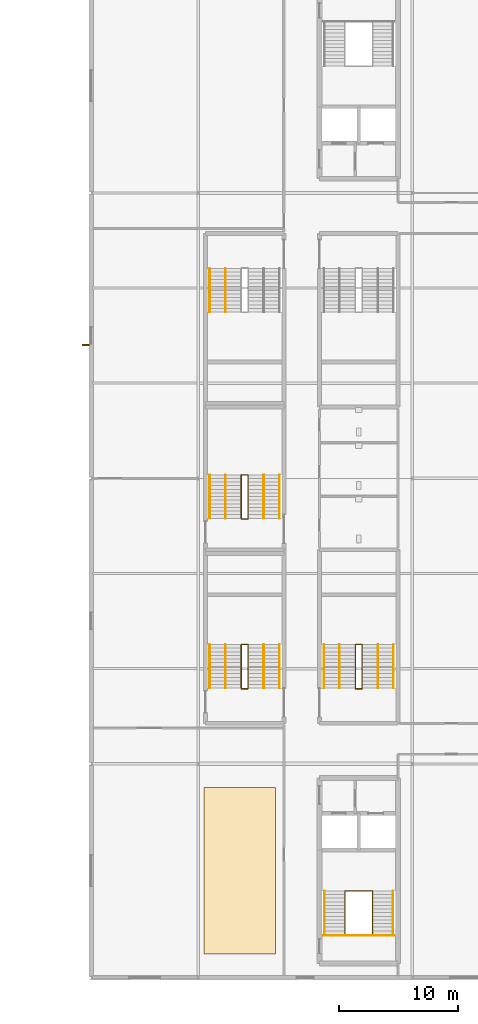
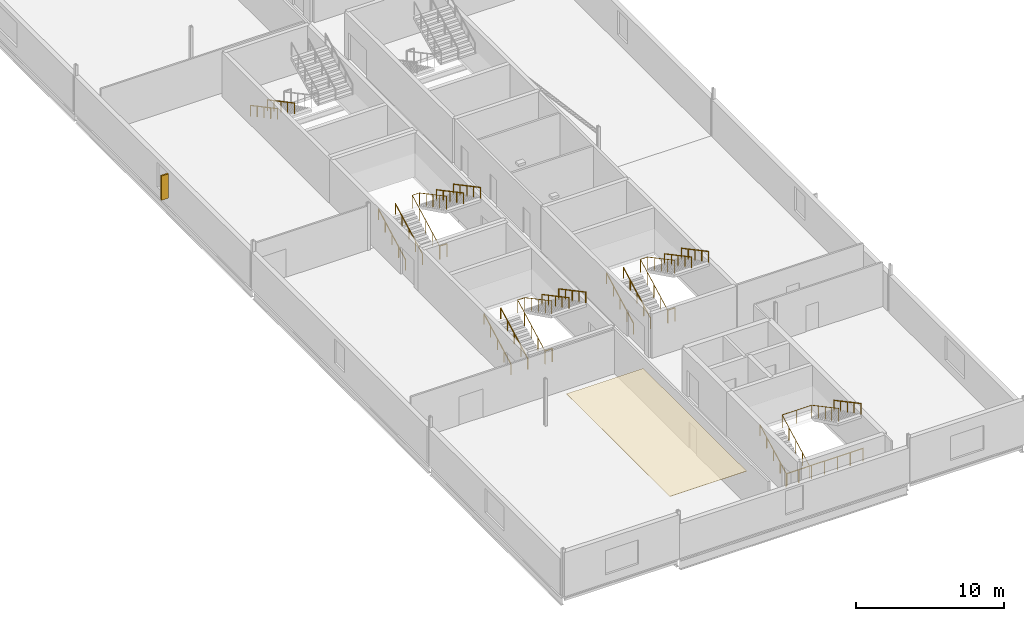
# One storey, part 33 of 35: 24 railings, 1 covering, 1 shading device.
"""IFC4 building model written with IfcOpenShell, lengths in metres."""

from ifc_helpers import new_model, si_unit, direction, frame, origin, origin_2d, place, context, subcontext, project, spatial, polyline, rectangle, circle, outline, extrude, material, layer, layer_set, type_object, element, save


model = new_model("IFC4")

# Units and contexts
model_context = context("Model", 3, precision=1e-05, world=origin(), true_north=direction((0.0, 1.0)))
body_context = subcontext(model_context, "Body", "Model", "MODEL_VIEW")
ifc_project = project(units=[si_unit("LENGTHUNIT", "METRE"), si_unit("AREAUNIT", "SQUARE_METRE"), si_unit("VOLUMEUNIT", "CUBIC_METRE"), si_unit("PLANEANGLEUNIT", "RADIAN"), si_unit("MASSUNIT", "GRAM", prefix="KILO")], contexts=[model_context])

# Site, building, storey
site_placement = place(None, origin())
site = spatial("IfcSite", under=ifc_project, at=site_placement, CompositionType="ELEMENT")
building_placement = place(site_placement, origin())
building = spatial("IfcBuilding", under=site, at=building_placement, Name="Kisiwana Market Hall", CompositionType="ELEMENT")
storey_placement = place(building_placement, frame((0.0, 0.0, 61.800048828125)))
storey = spatial("IfcBuildingStorey", under=building, at=storey_placement, Name="L14", CompositionType="ELEMENT", Elevation=61.800048828125)

# Covering
ifc_material_1 = material(Name="Mineral-fibre acoustic ceiling board")
ifc_layer = layer(ifc_material_1, 0.02490234375)
ifc_layer_set = layer_set([ifc_layer], Name="COV-CEIL-AC")
covering_type = type_object("IfcCoveringType", Name="COV-CEIL-AC", PredefinedType="CEILING", material=ifc_layer_set)
covering_placement = place(storey_placement, frame((0.0, 0.0, 3.6298828125)))
element("IfcCovering", 1, at=covering_placement, inside=storey, type_object=covering_type, Name="Acoustic ceiling grid L14-032", PredefinedType="CEILING", context=body_context, shape_type="SweptSolid", body=[
    extrude(outline(polyline([(171.5, 20.0), (177.5, 20.0), (177.5, 34.0), (171.5, 34.0), (171.5, 20.0)])), origin(), (0.0, 0.0, 1.0), 0.025146484375),
])

# Railings
ifc_material_2 = material(Name="Steel S275", Category="steel")
railing_type_1 = type_object("IfcRailingType", Name="RL-GUARD-1100", PredefinedType="GUARDRAIL", material=ifc_material_2)
railing_1_placement = place(storey_placement, frame((183.35009765625, 21.6494140625, 0.0)))
element("IfcRailing", 2, at=railing_1_placement, inside=storey, type_object=railing_type_1, Name="Stair ST-E2-L14 inner-well guardrail (RL-1595)", PredefinedType="GUARDRAIL", context=body_context, shape_type="SweptSolid", body=[
    extrude(circle(Radius=0.02392578125, at=origin_2d()), frame((0.0, 0.0, 1.076171875), z_axis=(0.0, 0.882566327451, 0.470187917379), x_axis=(-1.0, 0.0, 0.0)), (0.0, 0.0, 1.0), 4.147216796875),
    extrude(circle(Radius=0.02392578125, at=origin_2d()), frame((0.0, 3.66015625, 3.02587890625), z_axis=(1.0, 0.0, 0.0), x_axis=(0.0, 1.0, 0.0)), (0.0, 0.0, 1.0), 2.2998046875),
    extrude(circle(Radius=0.02392578125, at=origin_2d()), frame((2.2998046875, 3.66015625, 3.02587890625), z_axis=(0.0, -0.882566327451, 0.470187917379), x_axis=(1.0, 0.0, 0.0)), (0.0, 0.0, 1.0), 4.147216796875),
    extrude(circle(Radius=0.02099609375, at=origin_2d()), origin(), (0.0, 0.0, 1.0), 1.052001953125),
    extrude(circle(Radius=0.02099609375, at=origin_2d()), frame((0.0, 0.9150390625, 0.487548828125)), (0.0, 0.0, 1.0), 1.052001953125),
    extrude(circle(Radius=0.02099609375, at=origin_2d()), frame((0.0, 1.830078125, 0.97509765625)), (0.0, 0.0, 1.0), 1.052001953125),
    extrude(circle(Radius=0.02099609375, at=origin_2d()), frame((0.0, 2.7451171875, 1.46240234375)), (0.0, 0.0, 1.0), 1.052001953125),
    extrude(circle(Radius=0.02099609375, at=origin_2d()), frame((0.0, 3.66015625, 1.949951171875)), (0.0, 0.0, 1.0), 1.052001953125),
    extrude(circle(Radius=0.02099609375, at=origin_2d()), frame((1.14990234375, 3.66015625, 1.949951171875)), (0.0, 0.0, 1.0), 1.052001953125),
    extrude(circle(Radius=0.02099609375, at=origin_2d()), frame((2.2998046875, 3.66015625, 1.949951171875)), (0.0, 0.0, 1.0), 1.052001953125),
    extrude(circle(Radius=0.02099609375, at=origin_2d()), frame((2.2998046875, 2.7451171875, 2.4375)), (0.0, 0.0, 1.0), 1.052001953125),
    extrude(circle(Radius=0.02099609375, at=origin_2d()), frame((2.2998046875, 1.830078125, 2.9248046875)), (0.0, 0.0, 1.0), 1.052001953125),
    extrude(circle(Radius=0.02099609375, at=origin_2d()), frame((2.2998046875, 0.9150390625, 3.412353515625)), (0.0, 0.0, 1.0), 1.052001953125),
    extrude(circle(Radius=0.02099609375, at=origin_2d()), frame((2.2998046875, 0.0, 3.89990234375)), (0.0, 0.0, 1.0), 1.052001953125),
])
railing_2_placement = place(storey_placement, frame((181.47998046875, 21.569580078125, 0.0)))
element("IfcRailing", 3, at=railing_2_placement, inside=storey, type_object=railing_type_1, Name="Stair ST-E2-L14 landing edge guardrail (RL-1598)", PredefinedType="GUARDRAIL", context=body_context, shape_type="SweptSolid", body=[
    extrude(circle(Radius=0.02392578125, at=origin_2d()), frame((0.0, 0.0, 1.076171875), z_axis=(1.0, 0.0, 0.0), x_axis=(0.0, 1.0, 0.0)), (0.0, 0.0, 1.0), 6.0400390625),
    extrude(circle(Radius=0.02099609375, at=origin_2d()), origin(), (0.0, 0.0, 1.0), 1.052001953125),
    extrude(circle(Radius=0.02099609375, at=origin_2d()), frame((1.006591796875, 0.0, 0.0)), (0.0, 0.0, 1.0), 1.052001953125),
    extrude(circle(Radius=0.02099609375, at=origin_2d()), frame((2.013427734375, 0.0, 0.0)), (0.0, 0.0, 1.0), 1.052001953125),
    extrude(circle(Radius=0.02099609375, at=origin_2d()), frame((3.02001953125, 0.0, 0.0)), (0.0, 0.0, 1.0), 1.052001953125),
    extrude(circle(Radius=0.02099609375, at=origin_2d()), frame((4.026611328125, 0.0, 0.0)), (0.0, 0.0, 1.0), 1.052001953125),
    extrude(circle(Radius=0.02099609375, at=origin_2d()), frame((5.033447265625, 0.0, 0.0)), (0.0, 0.0, 1.0), 1.052001953125),
    extrude(circle(Radius=0.02099609375, at=origin_2d()), frame((6.0400390625, 0.0, 0.0)), (0.0, 0.0, 1.0), 1.052001953125),
])
railing_3_placement = place(storey_placement, frame((184.219970703125, 42.360107421875, 0.0)))
element("IfcRailing", 4, at=railing_3_placement, inside=storey, type_object=railing_type_1, Name="Stair ST-E3-L14 inner-well guardrail (RL-1615)", PredefinedType="GUARDRAIL", context=body_context, shape_type="SweptSolid", body=[
    extrude(circle(Radius=0.02392578125, at=origin_2d()), frame((0.0, 0.0, 1.076171875), z_axis=(0.0, 0.88255331184, 0.47021234752), x_axis=(-1.0, 0.0, 0.0)), (0.0, 0.0, 1.0), 4.14697265625),
    extrude(circle(Radius=0.02392578125, at=origin_2d()), frame((0.0, 3.659912109375, 3.02587890625), z_axis=(1.0, 0.0, 0.0), x_axis=(0.0, 1.0, 0.0)), (0.0, 0.0, 1.0), 0.56005859375),
    extrude(circle(Radius=0.02392578125, at=origin_2d()), frame((0.56005859375, 3.659912109375, 3.02587890625), z_axis=(0.0, -0.88255331184, 0.47021234752), x_axis=(1.0, 0.0, 0.0)), (0.0, 0.0, 1.0), 4.14697265625),
    extrude(circle(Radius=0.02099609375, at=origin_2d()), origin(), (0.0, 0.0, 1.0), 1.052001953125),
    extrude(circle(Radius=0.02099609375, at=origin_2d()), frame((0.0, 0.9150390625, 0.487548828125)), (0.0, 0.0, 1.0), 1.052001953125),
    extrude(circle(Radius=0.02099609375, at=origin_2d()), frame((0.0, 1.830078125, 0.97509765625)), (0.0, 0.0, 1.0), 1.052001953125),
    extrude(circle(Radius=0.02099609375, at=origin_2d()), frame((0.0, 2.744873046875, 1.46240234375)), (0.0, 0.0, 1.0), 1.052001953125),
    extrude(circle(Radius=0.02099609375, at=origin_2d()), frame((0.0, 3.659912109375, 1.949951171875)), (0.0, 0.0, 1.0), 1.052001953125),
    extrude(circle(Radius=0.02099609375, at=origin_2d()), frame((0.56005859375, 3.659912109375, 1.949951171875)), (0.0, 0.0, 1.0), 1.052001953125),
    extrude(circle(Radius=0.02099609375, at=origin_2d()), frame((0.56005859375, 2.744873046875, 2.4375)), (0.0, 0.0, 1.0), 1.052001953125),
    extrude(circle(Radius=0.02099609375, at=origin_2d()), frame((0.56005859375, 1.830078125, 2.9248046875)), (0.0, 0.0, 1.0), 1.052001953125),
    extrude(circle(Radius=0.02099609375, at=origin_2d()), frame((0.56005859375, 0.9150390625, 3.412353515625)), (0.0, 0.0, 1.0), 1.052001953125),
    extrude(circle(Radius=0.02099609375, at=origin_2d()), frame((0.56005859375, 0.0, 3.89990234375)), (0.0, 0.0, 1.0), 1.052001953125),
])
railing_4_placement = place(storey_placement, frame((184.219970703125, 42.31005859375, 0.0)))
element("IfcRailing", 5, at=railing_4_placement, inside=storey, type_object=railing_type_1, Name="Stair ST-E3-L14 landing edge guardrail (RL-1620)", PredefinedType="GUARDRAIL", context=body_context, shape_type="SweptSolid", body=[
    extrude(circle(Radius=0.02392578125, at=origin_2d()), frame((0.0, 0.0, 1.076171875), z_axis=(1.0, 0.0, 0.0), x_axis=(0.0, 1.0, 0.0)), (0.0, 0.0, 1.0), 0.56005859375),
    extrude(circle(Radius=0.02099609375, at=origin_2d()), origin(), (0.0, 0.0, 1.0), 1.052001953125),
    extrude(circle(Radius=0.02099609375, at=origin_2d()), frame((0.56005859375, 0.0, 0.0)), (0.0, 0.0, 1.0), 1.052001953125),
])
railing_5_placement = place(storey_placement, frame((174.6201171875, 42.360107421875, 0.0)))
element("IfcRailing", 6, at=railing_5_placement, inside=storey, type_object=railing_type_1, Name="Stair ST-E7-L14 inner-well guardrail (RL-1633)", PredefinedType="GUARDRAIL", context=body_context, shape_type="SweptSolid", body=[
    extrude(circle(Radius=0.02392578125, at=origin_2d()), frame((0.0, 0.0, 1.076171875), z_axis=(0.0, 0.88255331184, 0.47021234752), x_axis=(-1.0, 0.0, 0.0)), (0.0, 0.0, 1.0), 4.14697265625),
    extrude(circle(Radius=0.02392578125, at=origin_2d()), frame((0.0, 3.659912109375, 3.02587890625), z_axis=(1.0, 0.0, 0.0), x_axis=(0.0, 1.0, 0.0)), (0.0, 0.0, 1.0), 0.559814453125),
    extrude(circle(Radius=0.02392578125, at=origin_2d()), frame((0.559814453125, 3.659912109375, 3.02587890625), z_axis=(0.0, -0.88255331184, 0.47021234752), x_axis=(1.0, 0.0, 0.0)), (0.0, 0.0, 1.0), 4.14697265625),
    extrude(circle(Radius=0.02099609375, at=origin_2d()), origin(), (0.0, 0.0, 1.0), 1.052001953125),
    extrude(circle(Radius=0.02099609375, at=origin_2d()), frame((0.0, 0.9150390625, 0.487548828125)), (0.0, 0.0, 1.0), 1.052001953125),
    extrude(circle(Radius=0.02099609375, at=origin_2d()), frame((0.0, 1.830078125, 0.97509765625)), (0.0, 0.0, 1.0), 1.052001953125),
    extrude(circle(Radius=0.02099609375, at=origin_2d()), frame((0.0, 2.744873046875, 1.46240234375)), (0.0, 0.0, 1.0), 1.052001953125),
    extrude(circle(Radius=0.02099609375, at=origin_2d()), frame((0.0, 3.659912109375, 1.949951171875)), (0.0, 0.0, 1.0), 1.052001953125),
    extrude(circle(Radius=0.02099609375, at=origin_2d()), frame((0.559814453125, 3.659912109375, 1.949951171875)), (0.0, 0.0, 1.0), 1.052001953125),
    extrude(circle(Radius=0.02099609375, at=origin_2d()), frame((0.559814453125, 2.744873046875, 2.4375)), (0.0, 0.0, 1.0), 1.052001953125),
    extrude(circle(Radius=0.02099609375, at=origin_2d()), frame((0.559814453125, 1.830078125, 2.9248046875)), (0.0, 0.0, 1.0), 1.052001953125),
    extrude(circle(Radius=0.02099609375, at=origin_2d()), frame((0.559814453125, 0.9150390625, 3.412353515625)), (0.0, 0.0, 1.0), 1.052001953125),
    extrude(circle(Radius=0.02099609375, at=origin_2d()), frame((0.559814453125, 0.0, 3.89990234375)), (0.0, 0.0, 1.0), 1.052001953125),
])
railing_6_placement = place(storey_placement, frame((174.6201171875, 42.31005859375, 0.0)))
element("IfcRailing", 7, at=railing_6_placement, inside=storey, type_object=railing_type_1, Name="Stair ST-E7-L14 landing edge guardrail (RL-1638)", PredefinedType="GUARDRAIL", context=body_context, shape_type="SweptSolid", body=[
    extrude(circle(Radius=0.02392578125, at=origin_2d()), frame((0.0, 0.0, 1.076171875), z_axis=(1.0, 0.0, 0.0), x_axis=(0.0, 1.0, 0.0)), (0.0, 0.0, 1.0), 0.559814453125),
    extrude(circle(Radius=0.02099609375, at=origin_2d()), origin(), (0.0, 0.0, 1.0), 1.052001953125),
    extrude(circle(Radius=0.02099609375, at=origin_2d()), frame((0.559814453125, 0.0, 0.0)), (0.0, 0.0, 1.0), 1.052001953125),
])
railing_7_placement = place(storey_placement, frame((174.6201171875, 56.639892578125, 0.0)))
element("IfcRailing", 8, at=railing_7_placement, inside=storey, type_object=railing_type_1, Name="Stair ST-E5-L14 inner-well guardrail (RL-1657)", PredefinedType="GUARDRAIL", context=body_context, shape_type="SweptSolid", body=[
    extrude(circle(Radius=0.02392578125, at=origin_2d()), frame((0.0, 0.0, 1.076171875), z_axis=(0.0, 0.882566327451, 0.470187917379), x_axis=(-1.0, 0.0, 0.0)), (0.0, 0.0, 1.0), 4.147216796875),
    extrude(circle(Radius=0.02392578125, at=origin_2d()), frame((0.0, 3.66015625, 3.02587890625), z_axis=(1.0, 0.0, 0.0), x_axis=(0.0, 1.0, 0.0)), (0.0, 0.0, 1.0), 0.559814453125),
    extrude(circle(Radius=0.02392578125, at=origin_2d()), frame((0.559814453125, 3.66015625, 3.02587890625), z_axis=(0.0, -0.882566327451, 0.470187917379), x_axis=(1.0, 0.0, 0.0)), (0.0, 0.0, 1.0), 4.147216796875),
    extrude(circle(Radius=0.02099609375, at=origin_2d()), origin(), (0.0, 0.0, 1.0), 1.052001953125),
    extrude(circle(Radius=0.02099609375, at=origin_2d()), frame((0.0, 0.9150390625, 0.487548828125)), (0.0, 0.0, 1.0), 1.052001953125),
    extrude(circle(Radius=0.02099609375, at=origin_2d()), frame((0.0, 1.830078125, 0.97509765625)), (0.0, 0.0, 1.0), 1.052001953125),
    extrude(circle(Radius=0.02099609375, at=origin_2d()), frame((0.0, 2.7451171875, 1.46240234375)), (0.0, 0.0, 1.0), 1.052001953125),
    extrude(circle(Radius=0.02099609375, at=origin_2d()), frame((0.0, 3.66015625, 1.949951171875)), (0.0, 0.0, 1.0), 1.052001953125),
    extrude(circle(Radius=0.02099609375, at=origin_2d()), frame((0.559814453125, 3.66015625, 1.949951171875)), (0.0, 0.0, 1.0), 1.052001953125),
    extrude(circle(Radius=0.02099609375, at=origin_2d()), frame((0.559814453125, 2.7451171875, 2.4375)), (0.0, 0.0, 1.0), 1.052001953125),
    extrude(circle(Radius=0.02099609375, at=origin_2d()), frame((0.559814453125, 1.830078125, 2.9248046875)), (0.0, 0.0, 1.0), 1.052001953125),
    extrude(circle(Radius=0.02099609375, at=origin_2d()), frame((0.559814453125, 0.9150390625, 3.412353515625)), (0.0, 0.0, 1.0), 1.052001953125),
    extrude(circle(Radius=0.02099609375, at=origin_2d()), frame((0.559814453125, 0.0, 3.89990234375)), (0.0, 0.0, 1.0), 1.052001953125),
])
railing_8_placement = place(storey_placement, frame((174.6201171875, 56.590087890625, 0.0)))
element("IfcRailing", 9, at=railing_8_placement, inside=storey, type_object=railing_type_1, Name="Stair ST-E5-L14 landing edge guardrail (RL-1662)", PredefinedType="GUARDRAIL", context=body_context, shape_type="SweptSolid", body=[
    extrude(circle(Radius=0.02392578125, at=origin_2d()), frame((0.0, 0.0, 1.076171875), z_axis=(1.0, 0.0, 0.0), x_axis=(0.0, 1.0, 0.0)), (0.0, 0.0, 1.0), 0.559814453125),
    extrude(circle(Radius=0.02099609375, at=origin_2d()), origin(), (0.0, 0.0, 1.0), 1.052001953125),
    extrude(circle(Radius=0.02099609375, at=origin_2d()), frame((0.559814453125, 0.0, 0.0)), (0.0, 0.0, 1.0), 1.052001953125),
])
ifc_material_3 = material(Name="Steel S275", Category="steel")
railing_type_2 = type_object("IfcRailingType", Name="RL-HAND-900", PredefinedType="HANDRAIL", material=ifc_material_3)
railing_9_placement = place(storey_placement, frame((181.610107421875, 21.6494140625, 0.0)))
element("IfcRailing", 10, at=railing_9_placement, inside=storey, type_object=railing_type_2, Name="Stair ST-E2-L14 flight 1 handrail (RL-1596)", PredefinedType="HANDRAIL", context=body_context, shape_type="SweptSolid", body=[
    extrude(circle(Radius=0.02392578125, at=origin_2d()), frame((0.0, 0.0, 0.8759765625), z_axis=(0.0, 0.882566327451, 0.470187917379), x_axis=(-1.0, 0.0, 0.0)), (0.0, 0.0, 1.0), 4.147216796875),
    extrude(circle(Radius=0.02099609375, at=origin_2d()), origin(), (0.0, 0.0, 1.0), 0.851806640625),
    extrude(circle(Radius=0.02099609375, at=origin_2d()), frame((0.0, 0.9150390625, 0.487548828125)), (0.0, 0.0, 1.0), 0.851806640625),
    extrude(circle(Radius=0.02099609375, at=origin_2d()), frame((0.0, 1.830078125, 0.97509765625)), (0.0, 0.0, 1.0), 0.851806640625),
    extrude(circle(Radius=0.02099609375, at=origin_2d()), frame((0.0, 2.7451171875, 1.46240234375)), (0.0, 0.0, 1.0), 0.851806640625),
    extrude(circle(Radius=0.02099609375, at=origin_2d()), frame((0.0, 3.66015625, 1.949951171875)), (0.0, 0.0, 1.0), 0.851806640625),
])
railing_10_placement = place(storey_placement, frame((187.389892578125, 25.3095703125, 1.949951171875)))
element("IfcRailing", 11, at=railing_10_placement, inside=storey, type_object=railing_type_2, Name="Stair ST-E2-L14 flight 2 handrail (RL-1597)", PredefinedType="HANDRAIL", context=body_context, shape_type="SweptSolid", body=[
    extrude(circle(Radius=0.02392578125, at=origin_2d()), frame((0.0, 0.0, 0.8759765625), z_axis=(0.0, -0.882566327451, 0.470187917379), x_axis=(1.0, 0.0, 0.0)), (0.0, 0.0, 1.0), 4.147216796875),
    extrude(circle(Radius=0.02099609375, at=origin_2d()), origin(), (0.0, 0.0, 1.0), 0.851806640625),
    extrude(circle(Radius=0.02099609375, at=origin_2d()), frame((0.0, -0.9150390625, 0.487548828125)), (0.0, 0.0, 1.0), 0.851806640625),
    extrude(circle(Radius=0.02099609375, at=origin_2d()), frame((0.0, -1.830078125, 0.97509765625)), (0.0, 0.0, 1.0), 0.851806640625),
    extrude(circle(Radius=0.02099609375, at=origin_2d()), frame((0.0, -2.7451171875, 1.46240234375)), (0.0, 0.0, 1.0), 0.851806640625),
    extrude(circle(Radius=0.02099609375, at=origin_2d()), frame((0.0, -3.66015625, 1.949951171875)), (0.0, 0.0, 1.0), 0.851806640625),
])
railing_11_placement = place(storey_placement, frame((181.570068359375, 42.360107421875, 0.0)))
element("IfcRailing", 12, at=railing_11_placement, inside=storey, type_object=railing_type_2, Name="Stair ST-E3-L14 flight 1 handrail (RL-1616)", PredefinedType="HANDRAIL", context=body_context, shape_type="SweptSolid", body=[
    extrude(circle(Radius=0.02392578125, at=origin_2d()), frame((0.0, 0.0, 0.8759765625), z_axis=(0.0, 0.88255331184, 0.47021234752), x_axis=(-1.0, 0.0, 0.0)), (0.0, 0.0, 1.0), 4.14697265625),
    extrude(circle(Radius=0.02099609375, at=origin_2d()), origin(), (0.0, 0.0, 1.0), 0.851806640625),
    extrude(circle(Radius=0.02099609375, at=origin_2d()), frame((0.0, 0.9150390625, 0.487548828125)), (0.0, 0.0, 1.0), 0.851806640625),
    extrude(circle(Radius=0.02099609375, at=origin_2d()), frame((0.0, 1.830078125, 0.97509765625)), (0.0, 0.0, 1.0), 0.851806640625),
    extrude(circle(Radius=0.02099609375, at=origin_2d()), frame((0.0, 2.744873046875, 1.46240234375)), (0.0, 0.0, 1.0), 0.851806640625),
    extrude(circle(Radius=0.02099609375, at=origin_2d()), frame((0.0, 3.659912109375, 1.949951171875)), (0.0, 0.0, 1.0), 0.851806640625),
])
railing_12_placement = place(storey_placement, frame((187.429931640625, 46.02001953125, 1.949951171875)))
element("IfcRailing", 13, at=railing_12_placement, inside=storey, type_object=railing_type_2, Name="Stair ST-E3-L14 flight 2 handrail (RL-1617)", PredefinedType="HANDRAIL", context=body_context, shape_type="SweptSolid", body=[
    extrude(circle(Radius=0.02392578125, at=origin_2d()), frame((0.0, 0.0, 0.8759765625), z_axis=(0.0, -0.88255331184, 0.47021234752), x_axis=(1.0, 0.0, 0.0)), (0.0, 0.0, 1.0), 4.14697265625),
    extrude(circle(Radius=0.02099609375, at=origin_2d()), origin(), (0.0, 0.0, 1.0), 0.851806640625),
    extrude(circle(Radius=0.02099609375, at=origin_2d()), frame((0.0, -0.9150390625, 0.487548828125)), (0.0, 0.0, 1.0), 0.851806640625),
    extrude(circle(Radius=0.02099609375, at=origin_2d()), frame((0.0, -1.830078125, 0.97509765625)), (0.0, 0.0, 1.0), 0.851806640625),
    extrude(circle(Radius=0.02099609375, at=origin_2d()), frame((0.0, -2.744873046875, 1.46240234375)), (0.0, 0.0, 1.0), 0.851806640625),
    extrude(circle(Radius=0.02099609375, at=origin_2d()), frame((0.0, -3.659912109375, 1.949951171875)), (0.0, 0.0, 1.0), 0.851806640625),
])
railing_13_placement = place(storey_placement, frame((182.889892578125, 42.360107421875, 0.0)))
element("IfcRailing", 14, at=railing_13_placement, inside=storey, type_object=railing_type_2, Name="Stair ST-E3-L14 flight 1 intermediate handrail (RL-1618)", PredefinedType="HANDRAIL", context=body_context, shape_type="SweptSolid", body=[
    extrude(circle(Radius=0.02392578125, at=origin_2d()), frame((0.0, 0.0, 0.8759765625), z_axis=(0.0, 0.88255331184, 0.47021234752), x_axis=(-1.0, 0.0, 0.0)), (0.0, 0.0, 1.0), 4.14697265625),
    extrude(circle(Radius=0.02099609375, at=origin_2d()), origin(), (0.0, 0.0, 1.0), 0.851806640625),
    extrude(circle(Radius=0.02099609375, at=origin_2d()), frame((0.0, 0.9150390625, 0.487548828125)), (0.0, 0.0, 1.0), 0.851806640625),
    extrude(circle(Radius=0.02099609375, at=origin_2d()), frame((0.0, 1.830078125, 0.97509765625)), (0.0, 0.0, 1.0), 0.851806640625),
    extrude(circle(Radius=0.02099609375, at=origin_2d()), frame((0.0, 2.744873046875, 1.46240234375)), (0.0, 0.0, 1.0), 0.851806640625),
    extrude(circle(Radius=0.02099609375, at=origin_2d()), frame((0.0, 3.659912109375, 1.949951171875)), (0.0, 0.0, 1.0), 0.851806640625),
])
railing_14_placement = place(storey_placement, frame((186.110107421875, 46.02001953125, 1.949951171875)))
element("IfcRailing", 15, at=railing_14_placement, inside=storey, type_object=railing_type_2, Name="Stair ST-E3-L14 flight 2 intermediate handrail (RL-1619)", PredefinedType="HANDRAIL", context=body_context, shape_type="SweptSolid", body=[
    extrude(circle(Radius=0.02392578125, at=origin_2d()), frame((0.0, 0.0, 0.8759765625), z_axis=(0.0, -0.88255331184, 0.47021234752), x_axis=(1.0, 0.0, 0.0)), (0.0, 0.0, 1.0), 4.14697265625),
    extrude(circle(Radius=0.02099609375, at=origin_2d()), origin(), (0.0, 0.0, 1.0), 0.851806640625),
    extrude(circle(Radius=0.02099609375, at=origin_2d()), frame((0.0, -0.9150390625, 0.487548828125)), (0.0, 0.0, 1.0), 0.851806640625),
    extrude(circle(Radius=0.02099609375, at=origin_2d()), frame((0.0, -1.830078125, 0.97509765625)), (0.0, 0.0, 1.0), 0.851806640625),
    extrude(circle(Radius=0.02099609375, at=origin_2d()), frame((0.0, -2.744873046875, 1.46240234375)), (0.0, 0.0, 1.0), 0.851806640625),
    extrude(circle(Radius=0.02099609375, at=origin_2d()), frame((0.0, -3.659912109375, 1.949951171875)), (0.0, 0.0, 1.0), 0.851806640625),
])
railing_15_placement = place(storey_placement, frame((171.969970703125, 42.360107421875, 0.0)))
element("IfcRailing", 16, at=railing_15_placement, inside=storey, type_object=railing_type_2, Name="Stair ST-E7-L14 flight 1 handrail (RL-1634)", PredefinedType="HANDRAIL", context=body_context, shape_type="SweptSolid", body=[
    extrude(circle(Radius=0.02392578125, at=origin_2d()), frame((0.0, 0.0, 0.8759765625), z_axis=(0.0, 0.88255331184, 0.47021234752), x_axis=(-1.0, 0.0, 0.0)), (0.0, 0.0, 1.0), 4.14697265625),
    extrude(circle(Radius=0.02099609375, at=origin_2d()), origin(), (0.0, 0.0, 1.0), 0.851806640625),
    extrude(circle(Radius=0.02099609375, at=origin_2d()), frame((0.0, 0.9150390625, 0.487548828125)), (0.0, 0.0, 1.0), 0.851806640625),
    extrude(circle(Radius=0.02099609375, at=origin_2d()), frame((0.0, 1.830078125, 0.97509765625)), (0.0, 0.0, 1.0), 0.851806640625),
    extrude(circle(Radius=0.02099609375, at=origin_2d()), frame((0.0, 2.744873046875, 1.46240234375)), (0.0, 0.0, 1.0), 0.851806640625),
    extrude(circle(Radius=0.02099609375, at=origin_2d()), frame((0.0, 3.659912109375, 1.949951171875)), (0.0, 0.0, 1.0), 0.851806640625),
])
railing_16_placement = place(storey_placement, frame((177.830078125, 46.02001953125, 1.949951171875)))
element("IfcRailing", 17, at=railing_16_placement, inside=storey, type_object=railing_type_2, Name="Stair ST-E7-L14 flight 2 handrail (RL-1635)", PredefinedType="HANDRAIL", context=body_context, shape_type="SweptSolid", body=[
    extrude(circle(Radius=0.02392578125, at=origin_2d()), frame((0.0, 0.0, 0.8759765625), z_axis=(0.0, -0.88255331184, 0.47021234752), x_axis=(1.0, 0.0, 0.0)), (0.0, 0.0, 1.0), 4.14697265625),
    extrude(circle(Radius=0.02099609375, at=origin_2d()), origin(), (0.0, 0.0, 1.0), 0.851806640625),
    extrude(circle(Radius=0.02099609375, at=origin_2d()), frame((0.0, -0.9150390625, 0.487548828125)), (0.0, 0.0, 1.0), 0.851806640625),
    extrude(circle(Radius=0.02099609375, at=origin_2d()), frame((0.0, -1.830078125, 0.97509765625)), (0.0, 0.0, 1.0), 0.851806640625),
    extrude(circle(Radius=0.02099609375, at=origin_2d()), frame((0.0, -2.744873046875, 1.46240234375)), (0.0, 0.0, 1.0), 0.851806640625),
    extrude(circle(Radius=0.02099609375, at=origin_2d()), frame((0.0, -3.659912109375, 1.949951171875)), (0.0, 0.0, 1.0), 0.851806640625),
])
railing_17_placement = place(storey_placement, frame((173.2900390625, 42.360107421875, 0.0)))
element("IfcRailing", 18, at=railing_17_placement, inside=storey, type_object=railing_type_2, Name="Stair ST-E7-L14 flight 1 intermediate handrail (RL-1636)", PredefinedType="HANDRAIL", context=body_context, shape_type="SweptSolid", body=[
    extrude(circle(Radius=0.02392578125, at=origin_2d()), frame((0.0, 0.0, 0.8759765625), z_axis=(0.0, 0.88255331184, 0.47021234752), x_axis=(-1.0, 0.0, 0.0)), (0.0, 0.0, 1.0), 4.14697265625),
    extrude(circle(Radius=0.02099609375, at=origin_2d()), origin(), (0.0, 0.0, 1.0), 0.851806640625),
    extrude(circle(Radius=0.02099609375, at=origin_2d()), frame((0.0, 0.9150390625, 0.487548828125)), (0.0, 0.0, 1.0), 0.851806640625),
    extrude(circle(Radius=0.02099609375, at=origin_2d()), frame((0.0, 1.830078125, 0.97509765625)), (0.0, 0.0, 1.0), 0.851806640625),
    extrude(circle(Radius=0.02099609375, at=origin_2d()), frame((0.0, 2.744873046875, 1.46240234375)), (0.0, 0.0, 1.0), 0.851806640625),
    extrude(circle(Radius=0.02099609375, at=origin_2d()), frame((0.0, 3.659912109375, 1.949951171875)), (0.0, 0.0, 1.0), 0.851806640625),
])
for number, where, name in (
    (19, (176.510009765625, 46.02001953125, 1.949951171875), "Stair ST-E7-L14 flight 2 intermediate handrail (RL-1637)"),
    (20, (171.969970703125, 77.639892578125, 0.0), "Stair ST-E8-L14 flight 1 handrail (RL-1646)"),
    (21, (173.2900390625, 77.639892578125, 0.0), "Stair ST-E8-L14 flight 1 intermediate handrail (RL-1648)"),
):
    element("IfcRailing", number, at=place(storey_placement, frame(where)), inside=storey, type_object=railing_type_2, Name=name, PredefinedType="HANDRAIL", context=body_context, shape_type="SweptSolid", body=[
        extrude(circle(Radius=0.02392578125, at=origin_2d()), frame((0.0, 0.0, 0.8759765625), z_axis=(0.0, -0.88255331184, 0.47021234752), x_axis=(1.0, 0.0, 0.0)), (0.0, 0.0, 1.0), 4.14697265625),
        extrude(circle(Radius=0.02099609375, at=origin_2d()), origin(), (0.0, 0.0, 1.0), 0.851806640625),
        extrude(circle(Radius=0.02099609375, at=origin_2d()), frame((0.0, -0.9150390625, 0.487548828125)), (0.0, 0.0, 1.0), 0.851806640625),
        extrude(circle(Radius=0.02099609375, at=origin_2d()), frame((0.0, -1.830078125, 0.97509765625)), (0.0, 0.0, 1.0), 0.851806640625),
        extrude(circle(Radius=0.02099609375, at=origin_2d()), frame((0.0, -2.744873046875, 1.46240234375)), (0.0, 0.0, 1.0), 0.851806640625),
        extrude(circle(Radius=0.02099609375, at=origin_2d()), frame((0.0, -3.659912109375, 1.949951171875)), (0.0, 0.0, 1.0), 0.851806640625),
    ])
railing_18_placement = place(storey_placement, frame((171.969970703125, 56.639892578125, 0.0)))
element("IfcRailing", 22, at=railing_18_placement, inside=storey, type_object=railing_type_2, Name="Stair ST-E5-L14 flight 1 handrail (RL-1658)", PredefinedType="HANDRAIL", context=body_context, shape_type="SweptSolid", body=[
    extrude(circle(Radius=0.02392578125, at=origin_2d()), frame((0.0, 0.0, 0.8759765625), z_axis=(0.0, 0.882566327451, 0.470187917379), x_axis=(-1.0, 0.0, 0.0)), (0.0, 0.0, 1.0), 4.147216796875),
    extrude(circle(Radius=0.02099609375, at=origin_2d()), origin(), (0.0, 0.0, 1.0), 0.851806640625),
    extrude(circle(Radius=0.02099609375, at=origin_2d()), frame((0.0, 0.9150390625, 0.487548828125)), (0.0, 0.0, 1.0), 0.851806640625),
    extrude(circle(Radius=0.02099609375, at=origin_2d()), frame((0.0, 1.830078125, 0.97509765625)), (0.0, 0.0, 1.0), 0.851806640625),
    extrude(circle(Radius=0.02099609375, at=origin_2d()), frame((0.0, 2.7451171875, 1.46240234375)), (0.0, 0.0, 1.0), 0.851806640625),
    extrude(circle(Radius=0.02099609375, at=origin_2d()), frame((0.0, 3.66015625, 1.949951171875)), (0.0, 0.0, 1.0), 0.851806640625),
])
railing_19_placement = place(storey_placement, frame((177.830078125, 60.300048828125, 1.949951171875)))
element("IfcRailing", 23, at=railing_19_placement, inside=storey, type_object=railing_type_2, Name="Stair ST-E5-L14 flight 2 handrail (RL-1659)", PredefinedType="HANDRAIL", context=body_context, shape_type="SweptSolid", body=[
    extrude(circle(Radius=0.02392578125, at=origin_2d()), frame((0.0, 0.0, 0.8759765625), z_axis=(0.0, -0.882566327451, 0.470187917379), x_axis=(1.0, 0.0, 0.0)), (0.0, 0.0, 1.0), 4.147216796875),
    extrude(circle(Radius=0.02099609375, at=origin_2d()), origin(), (0.0, 0.0, 1.0), 0.851806640625),
    extrude(circle(Radius=0.02099609375, at=origin_2d()), frame((0.0, -0.9150390625, 0.487548828125)), (0.0, 0.0, 1.0), 0.851806640625),
    extrude(circle(Radius=0.02099609375, at=origin_2d()), frame((0.0, -1.830078125, 0.97509765625)), (0.0, 0.0, 1.0), 0.851806640625),
    extrude(circle(Radius=0.02099609375, at=origin_2d()), frame((0.0, -2.7451171875, 1.46240234375)), (0.0, 0.0, 1.0), 0.851806640625),
    extrude(circle(Radius=0.02099609375, at=origin_2d()), frame((0.0, -3.66015625, 1.949951171875)), (0.0, 0.0, 1.0), 0.851806640625),
])
railing_20_placement = place(storey_placement, frame((173.2900390625, 56.639892578125, 0.0)))
element("IfcRailing", 24, at=railing_20_placement, inside=storey, type_object=railing_type_2, Name="Stair ST-E5-L14 flight 1 intermediate handrail (RL-1660)", PredefinedType="HANDRAIL", context=body_context, shape_type="SweptSolid", body=[
    extrude(circle(Radius=0.02392578125, at=origin_2d()), frame((0.0, 0.0, 0.8759765625), z_axis=(0.0, 0.882566327451, 0.470187917379), x_axis=(-1.0, 0.0, 0.0)), (0.0, 0.0, 1.0), 4.147216796875),
    extrude(circle(Radius=0.02099609375, at=origin_2d()), origin(), (0.0, 0.0, 1.0), 0.851806640625),
    extrude(circle(Radius=0.02099609375, at=origin_2d()), frame((0.0, 0.9150390625, 0.487548828125)), (0.0, 0.0, 1.0), 0.851806640625),
    extrude(circle(Radius=0.02099609375, at=origin_2d()), frame((0.0, 1.830078125, 0.97509765625)), (0.0, 0.0, 1.0), 0.851806640625),
    extrude(circle(Radius=0.02099609375, at=origin_2d()), frame((0.0, 2.7451171875, 1.46240234375)), (0.0, 0.0, 1.0), 0.851806640625),
    extrude(circle(Radius=0.02099609375, at=origin_2d()), frame((0.0, 3.66015625, 1.949951171875)), (0.0, 0.0, 1.0), 0.851806640625),
])
railing_21_placement = place(storey_placement, frame((176.510009765625, 60.300048828125, 1.949951171875)))
element("IfcRailing", 25, at=railing_21_placement, inside=storey, type_object=railing_type_2, Name="Stair ST-E5-L14 flight 2 intermediate handrail (RL-1661)", PredefinedType="HANDRAIL", context=body_context, shape_type="SweptSolid", body=[
    extrude(circle(Radius=0.02392578125, at=origin_2d()), frame((0.0, 0.0, 0.8759765625), z_axis=(0.0, -0.882566327451, 0.470187917379), x_axis=(1.0, 0.0, 0.0)), (0.0, 0.0, 1.0), 4.147216796875),
    extrude(circle(Radius=0.02099609375, at=origin_2d()), origin(), (0.0, 0.0, 1.0), 0.851806640625),
    extrude(circle(Radius=0.02099609375, at=origin_2d()), frame((0.0, -0.9150390625, 0.487548828125)), (0.0, 0.0, 1.0), 0.851806640625),
    extrude(circle(Radius=0.02099609375, at=origin_2d()), frame((0.0, -1.830078125, 0.97509765625)), (0.0, 0.0, 1.0), 0.851806640625),
    extrude(circle(Radius=0.02099609375, at=origin_2d()), frame((0.0, -2.7451171875, 1.46240234375)), (0.0, 0.0, 1.0), 0.851806640625),
    extrude(circle(Radius=0.02099609375, at=origin_2d()), frame((0.0, -3.66015625, 1.949951171875)), (0.0, 0.0, 1.0), 0.851806640625),
])

# Shading device
ifc_material_4 = material(Name="Aluminium alloy 6063-T6", Category="aluminium")
shading_device_type = type_object("IfcShadingDeviceType", Name="SHD-SHUTTER-V", PredefinedType="SHUTTER", material=ifc_material_4)
shading_device_placement = place(storey_placement, frame((161.54248046875, 71.219970703125, 0.699951171875), z_axis=(0.0, 0.0, 1.0), x_axis=(0.0, 1.0, 0.0)))
element("IfcShadingDevice", 26, at=shading_device_placement, inside=storey, type_object=shading_device_type, Name="Vertical solar fin SHD-219 SD-218", PredefinedType="SHUTTER", context=body_context, shape_type="SweptSolid", body=[
    extrude(rectangle(XDim=0.1201171875, YDim=0.550048828125, at=origin_2d()), origin(), (0.0, 0.0, 1.0), 2.0),
])

save(model, "model.ifc")
